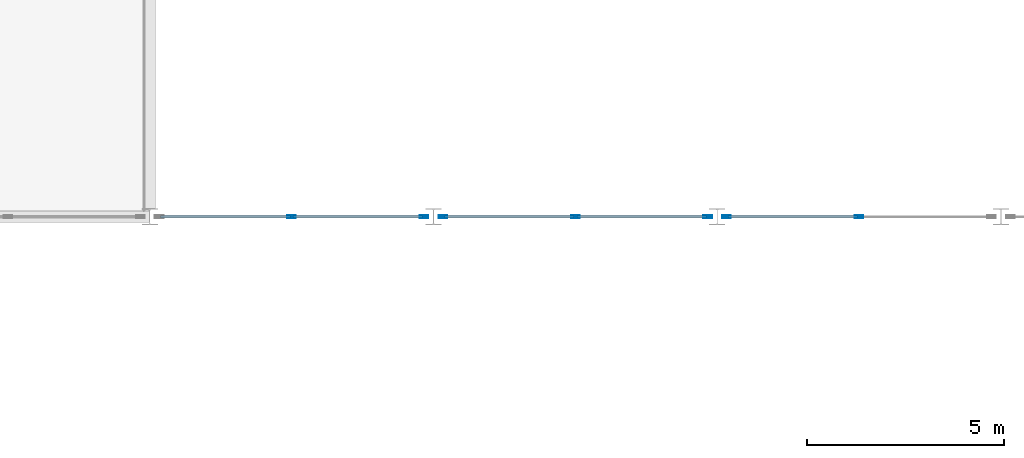
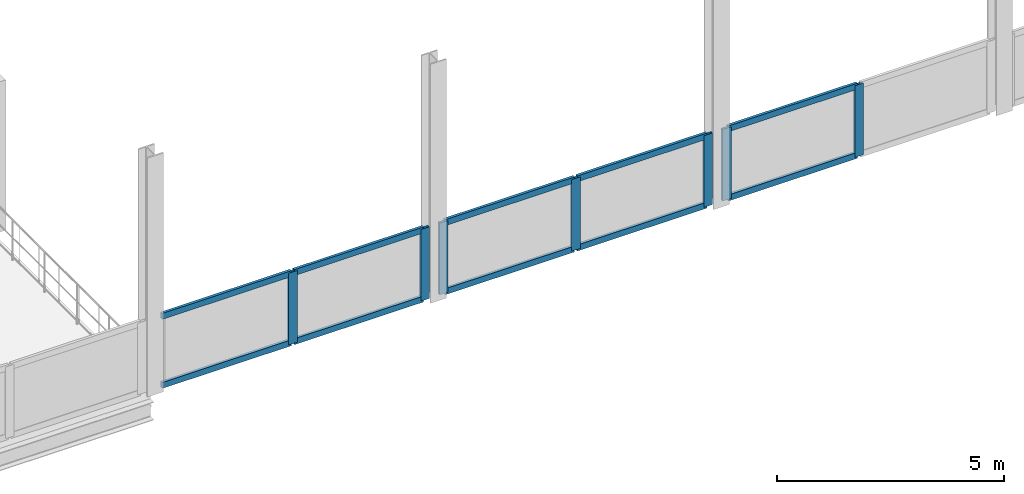
# One storey, part 17 of 51: 17 members, 3 elements without a shape of their own.
"""IFC4 building model written with IfcOpenShell, lengths in metres."""

import ifcopenshell
import ifcopenshell.guid

model = None  # the IFC model being written
_history = None  # IfcOwnerHistory: only IFC2X3 demands one
_inside = {}  # id of a spatial element -> (the spatial element, [elements in it])
_under = {}  # id of a project, library or spatial element -> (it, [spatial elements below it])
_declared = {}  # id of a project -> (the project, [libraries it declares])
_typed = {}  # id of a type object -> (the type object, [elements of that type])
_made_of = {}  # id of a material, layer set ... -> (it, [elements and type objects made of it])


def new_model(schema):
    """Start an empty IFC model of exactly this schema.

    Asked for "IFC4X3", IfcOpenShell would pick the latest addendum, in which some entities
    have other attributes; the version numbers below select the first issue.
    IFC2X3 requires an IfcOwnerHistory on every rooted entity: one is made here for all.
    """
    global model, _history
    if schema == "IFC4X3":
        model = ifcopenshell.file(schema_version=(4, 3, 0, 0))
    else:
        model = ifcopenshell.file(schema=schema)
    _inside.clear()
    _under.clear()
    _declared.clear()
    _typed.clear()
    _made_of.clear()
    _history = None
    if model.schema == "IFC2X3":
        org = make("IfcOrganization", Name="unknown")
        user = make(
            "IfcPersonAndOrganization",
            ThePerson=make("IfcPerson", FamilyName="unknown"),
            TheOrganization=org,
        )
        app = make(
            "IfcApplication",
            ApplicationDeveloper=org,
            Version="unknown",
            ApplicationFullName="unknown",
            ApplicationIdentifier="unknown",
        )
        _history = make(
            "IfcOwnerHistory",
            OwningUser=user,
            OwningApplication=app,
            ChangeAction="ADDED",
            CreationDate=0,
        )
    return model


def make(cls, **values):
    """One entity of the class cls with the attributes given. An attribute that is None is left unset."""
    return model.create_entity(
        cls, **{name: value for name, value in values.items() if value is not None}
    )


def rooted(cls, **values):
    """An entity with a GlobalId (a new one), such as an element, a storey or a relation."""
    return make(cls, GlobalId=ifcopenshell.guid.new(), OwnerHistory=_history, **values)


def si_unit(unit_type, name, prefix=None):
    """IfcSIUnit, for example si_unit("LENGTHUNIT", "METRE", prefix="MILLI")."""
    return make("IfcSIUnit", UnitType=unit_type, Prefix=prefix, Name=name)


def assignment(units):
    """IfcUnitAssignment: the units of a project."""
    return None if units is None else make("IfcUnitAssignment", Units=units)


def point(xyz):
    """IfcCartesianPoint."""
    return None if xyz is None else make("IfcCartesianPoint", Coordinates=xyz)


def direction(xyz):
    """IfcDirection."""
    return None if xyz is None else make("IfcDirection", DirectionRatios=xyz)


def frame(location, z_axis=None, x_axis=None):
    """IfcAxis2Placement3D, a coordinate frame: its origin and axes. An axis left out is left unset."""
    return make(
        "IfcAxis2Placement3D",
        Location=point(location),
        Axis=direction(z_axis),
        RefDirection=direction(x_axis),
    )


def frame_2d(location, x_axis=None):
    """IfcAxis2Placement2D, a coordinate frame in the plane: its origin and x axis."""
    return make(
        "IfcAxis2Placement2D", Location=point(location), RefDirection=direction(x_axis)
    )


def origin():
    """The frame at (0, 0, 0) with its axes left unset."""
    return frame((0.0, 0.0, 0.0))


def origin_2d():
    """The frame at (0, 0) in the plane with its x axis left unset."""
    return frame_2d((0.0, 0.0))


def place(relative_to, where):
    """IfcLocalPlacement: puts the frame where relative to a parent placement (None: the world)."""
    return make(
        "IfcLocalPlacement", PlacementRelTo=relative_to, RelativePlacement=where
    )


def context(
    kind, dimensions, precision=None, world=None, true_north=None, identifier=None
):
    """IfcGeometricRepresentationContext, for example the 3D "Model" context."""
    return make(
        "IfcGeometricRepresentationContext",
        ContextIdentifier=identifier,
        ContextType=kind,
        CoordinateSpaceDimension=dimensions,
        Precision=precision,
        WorldCoordinateSystem=world,
        TrueNorth=true_north,
    )


def subcontext(parent, identifier, kind, view, scale=None):
    """IfcGeometricRepresentationSubContext, for example "Body" below "Model"."""
    return make(
        "IfcGeometricRepresentationSubContext",
        ContextIdentifier=identifier,
        ContextType=kind,
        ParentContext=parent,
        TargetScale=scale,
        TargetView=view,
    )


def project(units=None, contexts=None):
    """IfcProject with its units and contexts."""
    return rooted(
        "IfcProject",
        Name="project",
        RepresentationContexts=contexts,
        UnitsInContext=assignment(units),
    )


def spatial(cls, under=None, at=None, **own):
    """A site, building, storey or space (cls), placed at a placement, below another one or the project."""
    s = rooted(cls, ObjectPlacement=at, **own)
    if under is not None:
        _under.setdefault(under.id(), (under, []))[1].append(s)
    return s


def profile(cls, at=None, kind="AREA", **sizes):
    """A parametric profile (cls). Its sizes go by their IFC names, for example OverallWidth=200.0."""
    return make(cls, ProfileType=kind, Position=at, **sizes)


def hollow_rectangle(**sizes):
    """IfcRectangleHollowProfileDef."""
    return profile("IfcRectangleHollowProfileDef", **sizes)


def extrude(swept, where, along, depth):
    """IfcExtrudedAreaSolid: the profile swept, set in the frame where, extruded along a direction by depth."""
    return make(
        "IfcExtrudedAreaSolid",
        SweptArea=swept,
        Position=where,
        ExtrudedDirection=direction(along),
        Depth=depth,
    )


def shape(context_of_items, identifier, shape_type, items):
    """IfcShapeRepresentation: the items that make up one representation, for example the "Body"."""
    return make(
        "IfcShapeRepresentation",
        ContextOfItems=context_of_items,
        RepresentationIdentifier=identifier,
        RepresentationType=shape_type,
        Items=items,
    )


def material(Name=None, Category=None):
    """IfcMaterial."""
    return make("IfcMaterial", Name=Name, Category=Category)


def material_profile(
    of_material, cross_section, Name=None, Category=None, Priority=None
):
    """IfcMaterialProfile: a cross section and its material."""
    return make(
        "IfcMaterialProfile",
        Name=Name,
        Material=of_material,
        Profile=cross_section,
        Priority=Priority,
        Category=Category,
    )


def profile_set(profiles, Name=None, composite=None):
    """IfcMaterialProfileSet."""
    return make(
        "IfcMaterialProfileSet",
        Name=Name,
        MaterialProfiles=profiles,
        CompositeProfile=composite,
    )


def made_of(thing, what):
    """Note that an element or type object is made of a material, layer set ...; save() writes the relation."""
    if what is not None:
        _made_of.setdefault(what.id(), (what, []))[1].append(thing)
    return thing


def type_object(cls, material=None, **own):
    """A type object (cls), such as IfcWallType, which elements share."""
    return made_of(rooted(cls, **own), material)


def element(
    cls,
    number,
    at=None,
    inside=None,
    cuts=None,
    type_object=None,
    material=None,
    context=None,
    identifier="Body",
    shape_type=None,
    held_by="IfcProductDefinitionShape",
    body=None,
    shapes=None,
    **own,
):
    """One element of the class cls, such as IfcWall. Its Tag is "e" and its number.

    at: its placement. inside: the storey or other place that contains it. cuts: it is an
    opening in that element (IfcRelVoidsElement). A single representation is given by context,
    identifier, shape_type and body (its items); several are given by shapes. held_by: the class
    of the entity that holds the representations. save() writes the other relations.
    """
    e = rooted(cls, Tag="e%d" % number, ObjectPlacement=at, **own)
    if body is not None:
        shapes = [shape(context, identifier, shape_type, body)]
    if shapes is not None:
        e.Representation = make(held_by, Representations=shapes)
    if inside is not None:
        _inside.setdefault(inside.id(), (inside, []))[1].append(e)
    if cuts is not None:
        rooted(
            "IfcRelVoidsElement", RelatingBuildingElement=cuts, RelatedOpeningElement=e
        )
    if type_object is not None:
        _typed.setdefault(type_object.id(), (type_object, []))[1].append(e)
    return made_of(e, material)


def aggregate(whole, parts):
    """IfcRelAggregates: a whole, such as a stair, and the parts it consists of."""
    return rooted("IfcRelAggregates", RelatingObject=whole, RelatedObjects=parts)


def save(model, path):
    """Write the relations noted so far, then the file.

    IfcRelAggregates (storeys below a building ...), IfcRelContainedInSpatialStructure (elements
    in a storey), IfcRelDefinesByType, IfcRelAssociatesMaterial and IfcRelDeclares: one each for
    every whole, place, type object, material and project.
    """
    for whole, parts in _under.values():
        aggregate(whole, parts)
    for where, things in _inside.values():
        rooted(
            "IfcRelContainedInSpatialStructure",
            RelatedElements=things,
            RelatingStructure=where,
        )
    for kind, things in _typed.values():
        rooted("IfcRelDefinesByType", RelatedObjects=things, RelatingType=kind)
    for what, things in _made_of.values():
        rooted("IfcRelAssociatesMaterial", RelatedObjects=things, RelatingMaterial=what)
    for by, libraries in _declared.values():
        rooted("IfcRelDeclares", RelatingContext=by, RelatedDefinitions=libraries)
    model.write(path)


model = new_model("IFC4")

# Units and contexts
model_context = context("Model", 3, precision=1e-05, world=origin(), true_north=direction((0.0, 1.0)))
body_context = subcontext(model_context, "Body", "Model", "MODEL_VIEW")
ifc_project = project(units=[si_unit("LENGTHUNIT", "METRE"), si_unit("AREAUNIT", "SQUARE_METRE"), si_unit("VOLUMEUNIT", "CUBIC_METRE"), si_unit("PLANEANGLEUNIT", "RADIAN"), si_unit("MASSUNIT", "GRAM", prefix="KILO")], contexts=[model_context])

# Site, building, storey
site_placement = place(None, origin())
site = spatial("IfcSite", under=ifc_project, at=site_placement, CompositionType="ELEMENT")
building_placement = place(site_placement, origin())
building = spatial("IfcBuilding", under=site, at=building_placement, Name="Vesperath Aquatics Centre", CompositionType="ELEMENT")
storey_placement = place(building_placement, frame((0.0, 0.0, 15.0)))
storey = spatial("IfcBuildingStorey", under=building, at=storey_placement, Name="L03", CompositionType="ELEMENT", Elevation=15.0)

# Curtain wall, members
ifc_material_1 = material(Name="Thermally broken anodised bronze aluminium curtain wall", Category="aluminium")
curtain_wall_type = type_object("IfcCurtainWallType", Name="CW-04", PredefinedType="NOTDEFINED", material=ifc_material_1)
curtain_wall_1_placement = place(storey_placement, origin())
curtain_wall_1 = element("IfcCurtainWall", 1, at=curtain_wall_1_placement, inside=storey, type_object=curtain_wall_type, Name="Facade Curtain Wall CW04 L03_S_03_12", PredefinedType="NOTDEFINED")
ifc_material_2 = material(Name="Thermally broken anodised aluminium", Category="aluminium")
ifc_material_profile_1 = material_profile(ifc_material_2, hollow_rectangle(XDim=0.070068359375, YDim=0.219970703125, WallThickness=0.0048828125, at=origin_2d()), Name="CWM 70x220x5")
ifc_profile_set_1 = profile_set([ifc_material_profile_1], Name="Thermally broken anodised aluminium")
member_type_1 = type_object("IfcMemberType", Name="MB-CWM2", PredefinedType="MULLION", material=ifc_profile_set_1)
member_1_placement = place(storey_placement, frame((25.199951171875, 86.39990234375, 0.0), z_axis=(0.0, 0.0, 1.0), x_axis=(0.0, 1.0, 0.0)))
member_1 = element("IfcMember", 2, at=member_1_placement, type_object=member_type_1, Name="CW04 mullion 2", PredefinedType="MULLION", context=body_context, shape_type="SweptSolid", body=[
    extrude(hollow_rectangle(XDim=0.070068359375, YDim=0.219970703125, WallThickness=0.0048828125, at=origin_2d()), origin(), (0.0, 0.0, 1.0), 1.926513671875),
])
member_2_placement = place(storey_placement, frame((28.5615234375, 86.39990234375, 0.0), z_axis=(0.0, 0.0, 1.0), x_axis=(0.0, 1.0, 0.0)))
member_2 = element("IfcMember", 3, at=member_2_placement, type_object=member_type_1, Name="CW04 mullion 3", PredefinedType="MULLION", context=body_context, shape_type="SweptSolid", body=[
    extrude(hollow_rectangle(XDim=0.070068359375, YDim=0.219970703125, WallThickness=0.0048828125, at=origin_2d()), origin(), (0.0, 0.0, 1.0), 1.926513671875),
])

curtain_wall_2_placement = place(storey_placement, origin())
curtain_wall_2 = element("IfcCurtainWall", 4, at=curtain_wall_2_placement, inside=storey, type_object=curtain_wall_type, Name="Facade Curtain Wall CW04 L03_S_04_12", PredefinedType="NOTDEFINED")
member_3_placement = place(storey_placement, frame((29.03857421875, 86.39990234375, 0.0), z_axis=(0.0, 0.0, 1.0), x_axis=(0.0, 1.0, 0.0)))
member_3 = element("IfcMember", 5, at=member_3_placement, type_object=member_type_1, Name="CW04 mullion 1", PredefinedType="MULLION", context=body_context, shape_type="SweptSolid", body=[
    extrude(hollow_rectangle(XDim=0.070068359375, YDim=0.219970703125, WallThickness=0.0048828125, at=origin_2d()), origin(), (0.0, 0.0, 1.0), 1.926513671875),
])
member_4_placement = place(storey_placement, frame((32.39990234375, 86.39990234375, 0.0), z_axis=(0.0, 0.0, 1.0), x_axis=(0.0, 1.0, 0.0)))
member_4 = element("IfcMember", 6, at=member_4_placement, type_object=member_type_1, Name="CW04 mullion 2", PredefinedType="MULLION", context=body_context, shape_type="SweptSolid", body=[
    extrude(hollow_rectangle(XDim=0.070068359375, YDim=0.219970703125, WallThickness=0.0048828125, at=origin_2d()), origin(), (0.0, 0.0, 1.0), 1.926513671875),
])
member_5_placement = place(storey_placement, frame((35.761474609375, 86.39990234375, 0.0), z_axis=(0.0, 0.0, 1.0), x_axis=(0.0, 1.0, 0.0)))
member_5 = element("IfcMember", 7, at=member_5_placement, type_object=member_type_1, Name="CW04 mullion 3", PredefinedType="MULLION", context=body_context, shape_type="SweptSolid", body=[
    extrude(hollow_rectangle(XDim=0.070068359375, YDim=0.219970703125, WallThickness=0.0048828125, at=origin_2d()), origin(), (0.0, 0.0, 1.0), 1.926513671875),
])

curtain_wall_3_placement = place(storey_placement, origin())
curtain_wall_3 = element("IfcCurtainWall", 8, at=curtain_wall_3_placement, inside=storey, type_object=curtain_wall_type, Name="Facade Curtain Wall CW04 L03_S_05_12", PredefinedType="NOTDEFINED")
member_6_placement = place(storey_placement, frame((36.238525390625, 86.39990234375, 0.0), z_axis=(0.0, 0.0, 1.0), x_axis=(0.0, 1.0, 0.0)))
member_6 = element("IfcMember", 9, at=member_6_placement, type_object=member_type_1, Name="CW04 mullion 1", PredefinedType="MULLION", context=body_context, shape_type="SweptSolid", body=[
    extrude(hollow_rectangle(XDim=0.070068359375, YDim=0.219970703125, WallThickness=0.0048828125, at=origin_2d()), origin(), (0.0, 0.0, 1.0), 1.926513671875),
])
member_7_placement = place(storey_placement, frame((39.60009765625, 86.39990234375, 0.0), z_axis=(0.0, 0.0, 1.0), x_axis=(0.0, 1.0, 0.0)))
member_7 = element("IfcMember", 10, at=member_7_placement, type_object=member_type_1, Name="CW04 mullion 2", PredefinedType="MULLION", context=body_context, shape_type="SweptSolid", body=[
    extrude(hollow_rectangle(XDim=0.070068359375, YDim=0.219970703125, WallThickness=0.0048828125, at=origin_2d()), origin(), (0.0, 0.0, 1.0), 1.926513671875),
])

# Member
ifc_material_profile_2 = material_profile(ifc_material_2, hollow_rectangle(XDim=0.070068359375, YDim=0.159912109375, WallThickness=0.0048828125, at=origin_2d()), Name="CWT 70x160x5")
ifc_profile_set_2 = profile_set([ifc_material_profile_2], Name="Thermally broken anodised aluminium")
member_type_2 = type_object("IfcMemberType", Name="MB-CWT2", PredefinedType="USERDEFINED", material=ifc_profile_set_2)
member_8_placement = place(storey_placement, frame((21.87353515625, 86.39990234375, 0.034912109375), z_axis=(1.0, 0.0, 0.0), x_axis=(0.0, 1.0, 0.0)))
member_8 = element("IfcMember", 11, at=member_8_placement, type_object=member_type_2, Name="CW04 transom 1.1", ObjectType="TRANSOM", PredefinedType="USERDEFINED", context=body_context, shape_type="SweptSolid", body=[
    extrude(hollow_rectangle(XDim=0.070068359375, YDim=0.159912109375, WallThickness=0.0048828125, at=origin_2d()), origin(), (0.0, 0.0, 1.0), 3.29150390625),
])

member_9_placement = place(storey_placement, frame((21.87353515625, 86.39990234375, 1.891357421875), z_axis=(1.0, 0.0, 0.0), x_axis=(0.0, 1.0, 0.0)))
member_9 = element("IfcMember", 12, at=member_9_placement, type_object=member_type_2, Name="CW04 transom 1.2", ObjectType="TRANSOM", PredefinedType="USERDEFINED", context=body_context, shape_type="SweptSolid", body=[
    extrude(hollow_rectangle(XDim=0.070068359375, YDim=0.159912109375, WallThickness=0.0048828125, at=origin_2d()), origin(), (0.0, 0.0, 1.0), 3.29150390625),
])

member_10_placement = place(storey_placement, frame((25.235107421875, 86.39990234375, 0.034912109375), z_axis=(1.0, 0.0, 0.0), x_axis=(0.0, 1.0, 0.0)))
member_10 = element("IfcMember", 13, at=member_10_placement, type_object=member_type_2, Name="CW04 transom 2.1", ObjectType="TRANSOM", PredefinedType="USERDEFINED", context=body_context, shape_type="SweptSolid", body=[
    extrude(hollow_rectangle(XDim=0.070068359375, YDim=0.159912109375, WallThickness=0.0048828125, at=origin_2d()), origin(), (0.0, 0.0, 1.0), 3.29150390625),
])

member_11_placement = place(storey_placement, frame((25.235107421875, 86.39990234375, 1.891357421875), z_axis=(1.0, 0.0, 0.0), x_axis=(0.0, 1.0, 0.0)))
member_11 = element("IfcMember", 14, at=member_11_placement, type_object=member_type_2, Name="CW04 transom 2.2", ObjectType="TRANSOM", PredefinedType="USERDEFINED", context=body_context, shape_type="SweptSolid", body=[
    extrude(hollow_rectangle(XDim=0.070068359375, YDim=0.159912109375, WallThickness=0.0048828125, at=origin_2d()), origin(), (0.0, 0.0, 1.0), 3.29150390625),
])

aggregate(curtain_wall_1, [member_1, member_2, member_8, member_9, member_10, member_11])

member_12_placement = place(storey_placement, frame((29.073486328125, 86.39990234375, 0.034912109375), z_axis=(1.0, 0.0, 0.0), x_axis=(0.0, 1.0, 0.0)))
member_12 = element("IfcMember", 15, at=member_12_placement, type_object=member_type_2, Name="CW04 transom 1.1", ObjectType="TRANSOM", PredefinedType="USERDEFINED", context=body_context, shape_type="SweptSolid", body=[
    extrude(hollow_rectangle(XDim=0.070068359375, YDim=0.159912109375, WallThickness=0.0048828125, at=origin_2d()), origin(), (0.0, 0.0, 1.0), 3.29150390625),
])

member_13_placement = place(storey_placement, frame((29.073486328125, 86.39990234375, 1.891357421875), z_axis=(1.0, 0.0, 0.0), x_axis=(0.0, 1.0, 0.0)))
member_13 = element("IfcMember", 16, at=member_13_placement, type_object=member_type_2, Name="CW04 transom 1.2", ObjectType="TRANSOM", PredefinedType="USERDEFINED", context=body_context, shape_type="SweptSolid", body=[
    extrude(hollow_rectangle(XDim=0.070068359375, YDim=0.159912109375, WallThickness=0.0048828125, at=origin_2d()), origin(), (0.0, 0.0, 1.0), 3.29150390625),
])

member_14_placement = place(storey_placement, frame((32.43505859375, 86.39990234375, 0.034912109375), z_axis=(1.0, 0.0, 0.0), x_axis=(0.0, 1.0, 0.0)))
member_14 = element("IfcMember", 17, at=member_14_placement, type_object=member_type_2, Name="CW04 transom 2.1", ObjectType="TRANSOM", PredefinedType="USERDEFINED", context=body_context, shape_type="SweptSolid", body=[
    extrude(hollow_rectangle(XDim=0.070068359375, YDim=0.159912109375, WallThickness=0.0048828125, at=origin_2d()), origin(), (0.0, 0.0, 1.0), 3.29150390625),
])

member_15_placement = place(storey_placement, frame((32.43505859375, 86.39990234375, 1.891357421875), z_axis=(1.0, 0.0, 0.0), x_axis=(0.0, 1.0, 0.0)))
member_15 = element("IfcMember", 18, at=member_15_placement, type_object=member_type_2, Name="CW04 transom 2.2", ObjectType="TRANSOM", PredefinedType="USERDEFINED", context=body_context, shape_type="SweptSolid", body=[
    extrude(hollow_rectangle(XDim=0.070068359375, YDim=0.159912109375, WallThickness=0.0048828125, at=origin_2d()), origin(), (0.0, 0.0, 1.0), 3.29150390625),
])

aggregate(curtain_wall_2, [member_3, member_4, member_5, member_12, member_13, member_14, member_15])

member_16_placement = place(storey_placement, frame((36.2734375, 86.39990234375, 0.034912109375), z_axis=(1.0, 0.0, 0.0), x_axis=(0.0, 1.0, 0.0)))
member_16 = element("IfcMember", 19, at=member_16_placement, type_object=member_type_2, Name="CW04 transom 1.1", ObjectType="TRANSOM", PredefinedType="USERDEFINED", context=body_context, shape_type="SweptSolid", body=[
    extrude(hollow_rectangle(XDim=0.070068359375, YDim=0.159912109375, WallThickness=0.0048828125, at=origin_2d()), origin(), (0.0, 0.0, 1.0), 3.29150390625),
])

member_17_placement = place(storey_placement, frame((36.2734375, 86.39990234375, 1.891357421875), z_axis=(1.0, 0.0, 0.0), x_axis=(0.0, 1.0, 0.0)))
member_17 = element("IfcMember", 20, at=member_17_placement, type_object=member_type_2, Name="CW04 transom 1.2", ObjectType="TRANSOM", PredefinedType="USERDEFINED", context=body_context, shape_type="SweptSolid", body=[
    extrude(hollow_rectangle(XDim=0.070068359375, YDim=0.159912109375, WallThickness=0.0048828125, at=origin_2d()), origin(), (0.0, 0.0, 1.0), 3.29150390625),
])

aggregate(curtain_wall_3, [member_6, member_7, member_16, member_17])

save(model, "model.ifc")
